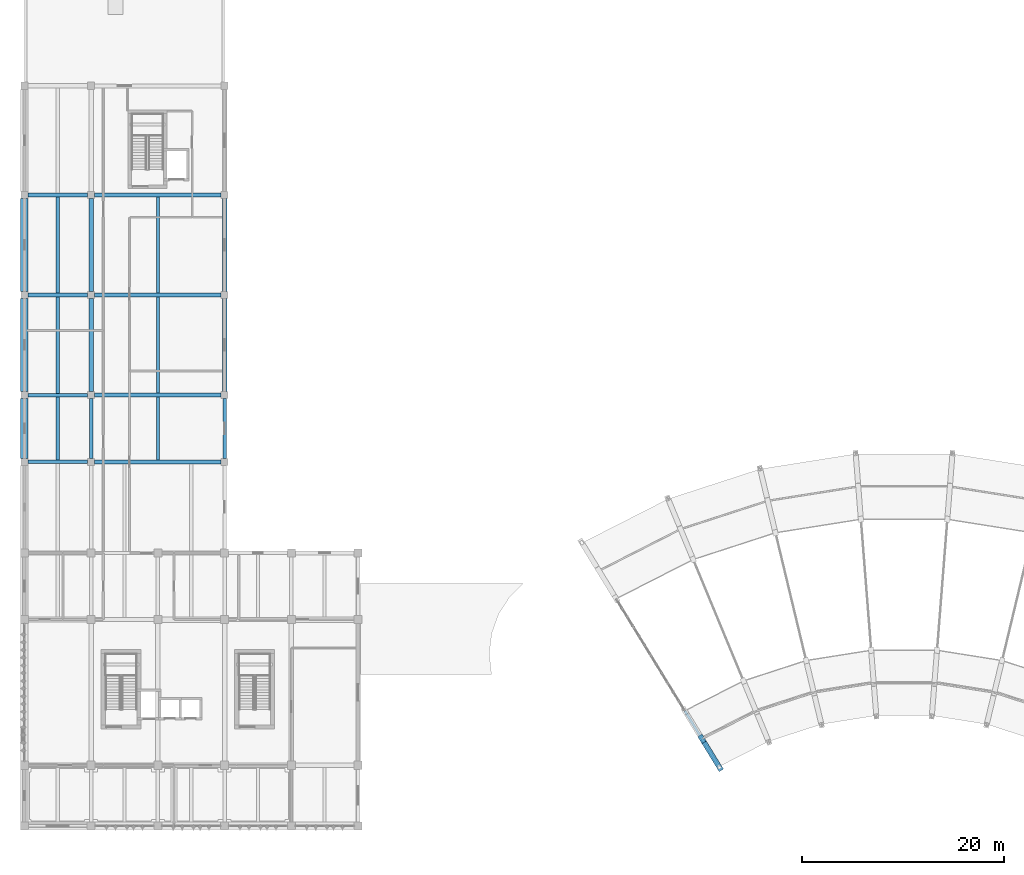
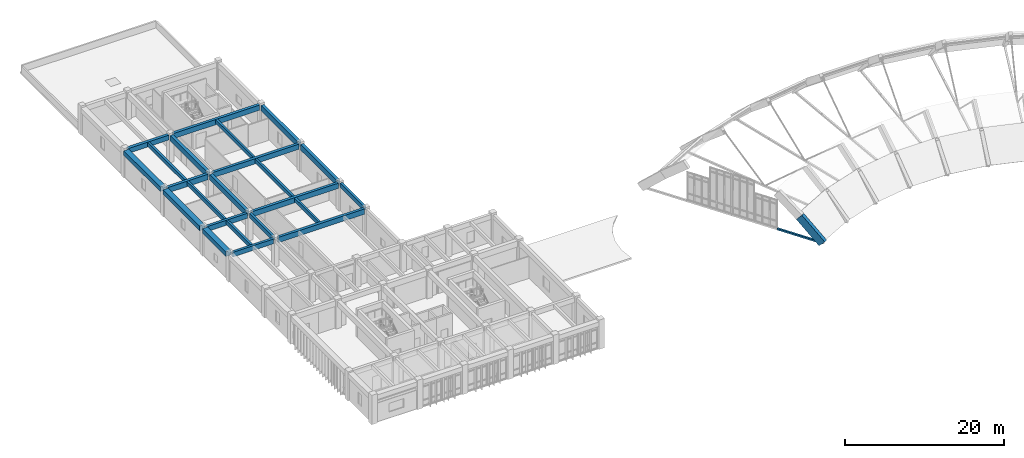
# One storey, part 9 of 34: 25 beams.
"""IFC4 building model written with IfcOpenShell, lengths in metres."""

import ifcopenshell
import ifcopenshell.guid

model = None  # the IFC model being written
_history = None  # IfcOwnerHistory: only IFC2X3 demands one
_inside = {}  # id of a spatial element -> (the spatial element, [elements in it])
_under = {}  # id of a project, library or spatial element -> (it, [spatial elements below it])
_declared = {}  # id of a project -> (the project, [libraries it declares])
_typed = {}  # id of a type object -> (the type object, [elements of that type])
_made_of = {}  # id of a material, layer set ... -> (it, [elements and type objects made of it])


def new_model(schema):
    """Start an empty IFC model of exactly this schema.

    Asked for "IFC4X3", IfcOpenShell would pick the latest addendum, in which some entities
    have other attributes; the version numbers below select the first issue.
    IFC2X3 requires an IfcOwnerHistory on every rooted entity: one is made here for all.
    """
    global model, _history
    if schema == "IFC4X3":
        model = ifcopenshell.file(schema_version=(4, 3, 0, 0))
    else:
        model = ifcopenshell.file(schema=schema)
    _inside.clear()
    _under.clear()
    _declared.clear()
    _typed.clear()
    _made_of.clear()
    _history = None
    if model.schema == "IFC2X3":
        org = make("IfcOrganization", Name="unknown")
        user = make(
            "IfcPersonAndOrganization",
            ThePerson=make("IfcPerson", FamilyName="unknown"),
            TheOrganization=org,
        )
        app = make(
            "IfcApplication",
            ApplicationDeveloper=org,
            Version="unknown",
            ApplicationFullName="unknown",
            ApplicationIdentifier="unknown",
        )
        _history = make(
            "IfcOwnerHistory",
            OwningUser=user,
            OwningApplication=app,
            ChangeAction="ADDED",
            CreationDate=0,
        )
    return model


def make(cls, **values):
    """One entity of the class cls with the attributes given. An attribute that is None is left unset."""
    return model.create_entity(
        cls, **{name: value for name, value in values.items() if value is not None}
    )


def rooted(cls, **values):
    """An entity with a GlobalId (a new one), such as an element, a storey or a relation."""
    return make(cls, GlobalId=ifcopenshell.guid.new(), OwnerHistory=_history, **values)


def si_unit(unit_type, name, prefix=None):
    """IfcSIUnit, for example si_unit("LENGTHUNIT", "METRE", prefix="MILLI")."""
    return make("IfcSIUnit", UnitType=unit_type, Prefix=prefix, Name=name)


def assignment(units):
    """IfcUnitAssignment: the units of a project."""
    return None if units is None else make("IfcUnitAssignment", Units=units)


def point(xyz):
    """IfcCartesianPoint."""
    return None if xyz is None else make("IfcCartesianPoint", Coordinates=xyz)


def direction(xyz):
    """IfcDirection."""
    return None if xyz is None else make("IfcDirection", DirectionRatios=xyz)


def frame(location, z_axis=None, x_axis=None):
    """IfcAxis2Placement3D, a coordinate frame: its origin and axes. An axis left out is left unset."""
    return make(
        "IfcAxis2Placement3D",
        Location=point(location),
        Axis=direction(z_axis),
        RefDirection=direction(x_axis),
    )


def frame_2d(location, x_axis=None):
    """IfcAxis2Placement2D, a coordinate frame in the plane: its origin and x axis."""
    return make(
        "IfcAxis2Placement2D", Location=point(location), RefDirection=direction(x_axis)
    )


def origin():
    """The frame at (0, 0, 0) with its axes left unset."""
    return frame((0.0, 0.0, 0.0))


def origin_2d():
    """The frame at (0, 0) in the plane with its x axis left unset."""
    return frame_2d((0.0, 0.0))


def place(relative_to, where):
    """IfcLocalPlacement: puts the frame where relative to a parent placement (None: the world)."""
    return make(
        "IfcLocalPlacement", PlacementRelTo=relative_to, RelativePlacement=where
    )


def context(
    kind, dimensions, precision=None, world=None, true_north=None, identifier=None
):
    """IfcGeometricRepresentationContext, for example the 3D "Model" context."""
    return make(
        "IfcGeometricRepresentationContext",
        ContextIdentifier=identifier,
        ContextType=kind,
        CoordinateSpaceDimension=dimensions,
        Precision=precision,
        WorldCoordinateSystem=world,
        TrueNorth=true_north,
    )


def subcontext(parent, identifier, kind, view, scale=None):
    """IfcGeometricRepresentationSubContext, for example "Body" below "Model"."""
    return make(
        "IfcGeometricRepresentationSubContext",
        ContextIdentifier=identifier,
        ContextType=kind,
        ParentContext=parent,
        TargetScale=scale,
        TargetView=view,
    )


def project(units=None, contexts=None):
    """IfcProject with its units and contexts."""
    return rooted(
        "IfcProject",
        Name="project",
        RepresentationContexts=contexts,
        UnitsInContext=assignment(units),
    )


def spatial(cls, under=None, at=None, **own):
    """A site, building, storey or space (cls), placed at a placement, below another one or the project."""
    s = rooted(cls, ObjectPlacement=at, **own)
    if under is not None:
        _under.setdefault(under.id(), (under, []))[1].append(s)
    return s


def profile(cls, at=None, kind="AREA", **sizes):
    """A parametric profile (cls). Its sizes go by their IFC names, for example OverallWidth=200.0."""
    return make(cls, ProfileType=kind, Position=at, **sizes)


def rectangle(**sizes):
    """IfcRectangleProfileDef."""
    return profile("IfcRectangleProfileDef", **sizes)


def hollow_rectangle(**sizes):
    """IfcRectangleHollowProfileDef."""
    return profile("IfcRectangleHollowProfileDef", **sizes)


def extrude(swept, where, along, depth):
    """IfcExtrudedAreaSolid: the profile swept, set in the frame where, extruded along a direction by depth."""
    return make(
        "IfcExtrudedAreaSolid",
        SweptArea=swept,
        Position=where,
        ExtrudedDirection=direction(along),
        Depth=depth,
    )


def shape(context_of_items, identifier, shape_type, items):
    """IfcShapeRepresentation: the items that make up one representation, for example the "Body"."""
    return make(
        "IfcShapeRepresentation",
        ContextOfItems=context_of_items,
        RepresentationIdentifier=identifier,
        RepresentationType=shape_type,
        Items=items,
    )


def material(Name=None, Category=None):
    """IfcMaterial."""
    return make("IfcMaterial", Name=Name, Category=Category)


def material_profile(
    of_material, cross_section, Name=None, Category=None, Priority=None
):
    """IfcMaterialProfile: a cross section and its material."""
    return make(
        "IfcMaterialProfile",
        Name=Name,
        Material=of_material,
        Profile=cross_section,
        Priority=Priority,
        Category=Category,
    )


def profile_set(profiles, Name=None, composite=None):
    """IfcMaterialProfileSet."""
    return make(
        "IfcMaterialProfileSet",
        Name=Name,
        MaterialProfiles=profiles,
        CompositeProfile=composite,
    )


def made_of(thing, what):
    """Note that an element or type object is made of a material, layer set ...; save() writes the relation."""
    if what is not None:
        _made_of.setdefault(what.id(), (what, []))[1].append(thing)
    return thing


def type_object(cls, material=None, **own):
    """A type object (cls), such as IfcWallType, which elements share."""
    return made_of(rooted(cls, **own), material)


def element(
    cls,
    number,
    at=None,
    inside=None,
    cuts=None,
    type_object=None,
    material=None,
    context=None,
    identifier="Body",
    shape_type=None,
    held_by="IfcProductDefinitionShape",
    body=None,
    shapes=None,
    **own,
):
    """One element of the class cls, such as IfcWall. Its Tag is "e" and its number.

    at: its placement. inside: the storey or other place that contains it. cuts: it is an
    opening in that element (IfcRelVoidsElement). A single representation is given by context,
    identifier, shape_type and body (its items); several are given by shapes. held_by: the class
    of the entity that holds the representations. save() writes the other relations.
    """
    e = rooted(cls, Tag="e%d" % number, ObjectPlacement=at, **own)
    if body is not None:
        shapes = [shape(context, identifier, shape_type, body)]
    if shapes is not None:
        e.Representation = make(held_by, Representations=shapes)
    if inside is not None:
        _inside.setdefault(inside.id(), (inside, []))[1].append(e)
    if cuts is not None:
        rooted(
            "IfcRelVoidsElement", RelatingBuildingElement=cuts, RelatedOpeningElement=e
        )
    if type_object is not None:
        _typed.setdefault(type_object.id(), (type_object, []))[1].append(e)
    return made_of(e, material)


def aggregate(whole, parts):
    """IfcRelAggregates: a whole, such as a stair, and the parts it consists of."""
    return rooted("IfcRelAggregates", RelatingObject=whole, RelatedObjects=parts)


def save(model, path):
    """Write the relations noted so far, then the file.

    IfcRelAggregates (storeys below a building ...), IfcRelContainedInSpatialStructure (elements
    in a storey), IfcRelDefinesByType, IfcRelAssociatesMaterial and IfcRelDeclares: one each for
    every whole, place, type object, material and project.
    """
    for whole, parts in _under.values():
        aggregate(whole, parts)
    for where, things in _inside.values():
        rooted(
            "IfcRelContainedInSpatialStructure",
            RelatedElements=things,
            RelatingStructure=where,
        )
    for kind, things in _typed.values():
        rooted("IfcRelDefinesByType", RelatedObjects=things, RelatingType=kind)
    for what, things in _made_of.values():
        rooted("IfcRelAssociatesMaterial", RelatedObjects=things, RelatingMaterial=what)
    for by, libraries in _declared.values():
        rooted("IfcRelDeclares", RelatingContext=by, RelatedDefinitions=libraries)
    model.write(path)


model = new_model("IFC4")

# Units and contexts
model_context = context("Model", 3, precision=1e-05, world=origin(), true_north=direction((0.0, 1.0)))
body_context = subcontext(model_context, "Body", "Model", "MODEL_VIEW")
ifc_project = project(units=[si_unit("LENGTHUNIT", "METRE"), si_unit("AREAUNIT", "SQUARE_METRE"), si_unit("VOLUMEUNIT", "CUBIC_METRE"), si_unit("PLANEANGLEUNIT", "RADIAN"), si_unit("MASSUNIT", "GRAM", prefix="KILO")], contexts=[model_context])

# Site, building, storey
site_placement = place(None, origin())
site = spatial("IfcSite", under=ifc_project, at=site_placement, CompositionType="ELEMENT")
building_placement = place(site_placement, origin())
building = spatial("IfcBuilding", under=site, at=building_placement, Name="Miralva Faculty of Natural Sciences", CompositionType="ELEMENT")
storey_placement = place(building_placement, frame((0.0, 0.0, 24.0)))
storey = spatial("IfcBuildingStorey", under=building, at=storey_placement, Name="L05", CompositionType="ELEMENT", Elevation=24.0)

# Beams
ifc_material_1 = material(Name="Concrete C40/50", Category="concrete")
ifc_material_profile_1 = material_profile(ifc_material_1, rectangle(XDim=0.449951171875, YDim=0.85009765625, at=origin_2d()), Name="RC 450x850")
ifc_profile_set_1 = profile_set([ifc_material_profile_1], Name="Concrete C40/50")
beam_type_1 = type_object("IfcBeamType", Name="BM-B01", PredefinedType="BEAM", material=ifc_profile_set_1)
for number, where, z_axis, x_axis, name in (
    (1, (9.60009765625, 45.949951171875, 3.77490234375), (0.0, 1.0, 0.0), (-1.0, 0.0, 0.0), "Girder NS L05-44"),
    (2, (9.60009765625, 55.85009765625, 3.77490234375), (0.0, 1.0, 0.0), (-1.0, 0.0, 0.0), "Girder NS L05-45"),
    (3, (22.800048828125, 45.949951171875, 3.77490234375), (0.0, 1.0, 0.0), (-1.0, 0.0, 0.0), "Girder NS L05-55"),
    (4, (22.800048828125, 55.85009765625, 3.77490234375), (0.0, 1.0, 0.0), (-1.0, 0.0, 0.0), "Girder NS L05-56"),
):
    element("IfcBeam", number, at=place(storey_placement, frame(where, z_axis=z_axis, x_axis=x_axis)), inside=storey, type_object=beam_type_1, Name=name, PredefinedType="BEAM", context=body_context, shape_type="SweptSolid", body=[
        extrude(rectangle(XDim=0.449951171875, YDim=0.85009765625, at=origin_2d()), origin(), (0.0, 0.0, 1.0), 9.199951171875),
    ])
ifc_material_profile_2 = material_profile(ifc_material_1, rectangle(XDim=0.39990234375, YDim=0.800048828125, at=origin_2d()), Name="RC 400x800")
ifc_profile_set_2 = profile_set([ifc_material_profile_2], Name="Concrete C40/50")
beam_type_2 = type_object("IfcBeamType", Name="BM-B02", PredefinedType="BEAM", material=ifc_profile_set_2)
for number, where, z_axis, x_axis, name in (
    (5, (9.949951171875, 39.0, 3.85009765625), (1.0, 0.0, 0.0), (0.0, 1.0, 0.0), "Girder EW L05-22"),
    (6, (9.949951171875, 45.60009765625, 3.800048828125), (1.0, 0.0, 0.0), (0.0, 1.0, 0.0), "Girder EW L05-24"),
    (7, (9.949951171875, 55.5, 3.800048828125), (1.0, 0.0, 0.0), (0.0, 1.0, 0.0), "Girder EW L05-26"),
    (8, (9.949951171875, 65.39990234375, 3.800048828125), (1.0, 0.0, 0.0), (0.0, 1.0, 0.0), "Girder EW L05-28"),
):
    element("IfcBeam", number, at=place(storey_placement, frame(where, z_axis=z_axis, x_axis=x_axis)), inside=storey, type_object=beam_type_2, Name=name, PredefinedType="BEAM", context=body_context, shape_type="SweptSolid", body=[
        extrude(rectangle(XDim=0.39990234375, YDim=0.800048828125, at=origin_2d()), origin(), (0.0, 0.0, 1.0), 12.5),
    ])
ifc_material_profile_3 = material_profile(ifc_material_1, rectangle(XDim=0.35009765625, YDim=0.64990234375, at=origin_2d()), Name="RC 350x650")
ifc_profile_set_3 = profile_set([ifc_material_profile_3], Name="Concrete C40/50")
beam_type_3 = type_object("IfcBeamType", Name="BM-B05", PredefinedType="BEAM", material=ifc_profile_set_3)
for number, where, z_axis, x_axis, name in (
    (9, (9.60009765625, 39.35009765625, 3.925048828125), (0.0, 1.0, 0.0), (-1.0, 0.0, 0.0), "Girder NS L05-43"),
    (10, (22.800048828125, 39.35009765625, 3.925048828125), (0.0, 1.0, 0.0), (-1.0, 0.0, 0.0), "Girder NS L05-54"),
):
    element("IfcBeam", number, at=place(storey_placement, frame(where, z_axis=z_axis, x_axis=x_axis)), inside=storey, type_object=beam_type_3, Name=name, PredefinedType="BEAM", context=body_context, shape_type="SweptSolid", body=[
        extrude(rectangle(XDim=0.35009765625, YDim=0.64990234375, at=origin_2d()), origin(), (0.0, 0.0, 1.0), 5.89990234375),
    ])
ifc_material_profile_4 = material_profile(ifc_material_1, rectangle(XDim=0.360107421875, YDim=0.719970703125, at=origin_2d()), Name="RC 360x720")
ifc_profile_set_4 = profile_set([ifc_material_profile_4], Name="Concrete C40/50")
beam_type_4 = type_object("IfcBeamType", Name="BM-BG05", PredefinedType="BEAM", material=ifc_profile_set_4)
beam_1_placement = place(storey_placement, frame((3.35009765625, 39.0, 3.889892578125), z_axis=(1.0, 0.0, 0.0), x_axis=(0.0, 1.0, 0.0)))
element("IfcBeam", 11, at=beam_1_placement, inside=storey, type_object=beam_type_4, Name="Girder EW L05-21", PredefinedType="BEAM", context=body_context, shape_type="SweptSolid", body=[
    extrude(rectangle(XDim=0.360107421875, YDim=0.719970703125, at=origin_2d()), origin(), (0.0, 0.0, 1.0), 5.89990234375),
])
ifc_material_profile_5 = material_profile(ifc_material_1, rectangle(XDim=0.3798828125, YDim=0.780029296875, at=origin_2d()), Name="RC 380x780")
ifc_profile_set_5 = profile_set([ifc_material_profile_5], Name="Concrete C40/50")
beam_type_5 = type_object("IfcBeamType", Name="BM-BG07", PredefinedType="BEAM", material=ifc_profile_set_5)
beam_2_placement = place(storey_placement, frame((3.35009765625, 45.60009765625, 3.81005859375), z_axis=(1.0, 0.0, 0.0), x_axis=(0.0, 1.0, 0.0)))
element("IfcBeam", 12, at=beam_2_placement, inside=storey, type_object=beam_type_5, Name="Girder EW L05-23", PredefinedType="BEAM", context=body_context, shape_type="SweptSolid", body=[
    extrude(rectangle(XDim=0.3798828125, YDim=0.780029296875, at=origin_2d()), origin(), (0.0, 0.0, 1.0), 5.89990234375),
])
ifc_material_profile_6 = material_profile(ifc_material_1, rectangle(XDim=0.39990234375, YDim=0.840087890625, at=origin_2d()), Name="RC 400x840")
ifc_profile_set_6 = profile_set([ifc_material_profile_6], Name="Concrete C40/50")
beam_type_6 = type_object("IfcBeamType", Name="BM-BG09", PredefinedType="BEAM", material=ifc_profile_set_6)
beam_3_placement = place(storey_placement, frame((3.35009765625, 55.5, 3.780029296875), z_axis=(1.0, 0.0, 0.0), x_axis=(0.0, 1.0, 0.0)))
element("IfcBeam", 13, at=beam_3_placement, inside=storey, type_object=beam_type_6, Name="Girder EW L05-25", PredefinedType="BEAM", context=body_context, shape_type="SweptSolid", body=[
    extrude(rectangle(XDim=0.39990234375, YDim=0.840087890625, at=origin_2d()), origin(), (0.0, 0.0, 1.0), 5.89990234375),
])
ifc_material_profile_7 = material_profile(ifc_material_1, rectangle(XDim=0.419921875, YDim=0.739990234375, at=origin_2d()), Name="RC 420x740")
ifc_profile_set_7 = profile_set([ifc_material_profile_7], Name="Concrete C40/50")
beam_type_7 = type_object("IfcBeamType", Name="BM-BG11", PredefinedType="BEAM", material=ifc_profile_set_7)
beam_4_placement = place(storey_placement, frame((3.35009765625, 65.39990234375, 3.830078125), z_axis=(1.0, 0.0, 0.0), x_axis=(0.0, 1.0, 0.0)))
element("IfcBeam", 14, at=beam_4_placement, inside=storey, type_object=beam_type_7, Name="Girder EW L05-27", PredefinedType="BEAM", context=body_context, shape_type="SweptSolid", body=[
    extrude(rectangle(XDim=0.419921875, YDim=0.739990234375, at=origin_2d()), origin(), (0.0, 0.0, 1.0), 5.89990234375),
])
ifc_material_profile_8 = material_profile(ifc_material_1, rectangle(XDim=0.5, YDim=1.199951171875, at=origin_2d()), Name="RC 500x1200")
ifc_profile_set_8 = profile_set([ifc_material_profile_8], Name="Concrete C40/50")
beam_type_8 = type_object("IfcBeamType", Name="BM-EB01", PredefinedType="BEAM", material=ifc_profile_set_8)
beam_5_placement = place(storey_placement, frame((71.712646484375, 8.84228515625, -0.0400390625), z_axis=(-0.385417004482, 0.628934505157, 0.675200059893), x_axis=(-0.852636876348, -0.522503930216, 0.0)))
element("IfcBeam", 15, at=beam_5_placement, inside=storey, type_object=beam_type_8, Name="Visible RC shell arch edge beam EB-01 chord 1", PredefinedType="BEAM", context=body_context, shape_type="SweptSolid", body=[
    extrude(rectangle(XDim=0.5, YDim=1.199951171875, at=origin_2d()), origin(), (0.0, 0.0, 1.0), 4.40625),
])
ifc_material_2 = material(Name="Steel S355", Category="steel")
ifc_material_profile_9 = material_profile(ifc_material_2, hollow_rectangle(XDim=0.25, YDim=0.25, WallThickness=0.011962890625, at=origin_2d()), Name="HSS 250x250x12")
ifc_profile_set_9 = profile_set([ifc_material_profile_9], Name="Steel S355")
beam_type_9 = type_object("IfcBeamType", Name="BM-EBTIE", PredefinedType="BEAM", material=ifc_profile_set_9)
beam_6_placement = place(storey_placement, frame((71.712646484375, 8.84228515625, -0.0400390625), z_axis=(-0.522493357731, 0.852643355176, 0.0), x_axis=(-0.852643355176, -0.522493357731, 0.0)))
element("IfcBeam", 16, at=beam_6_placement, inside=storey, type_object=beam_type_9, Name="Shell arch tie chord 01-1", PredefinedType="BEAM", context=body_context, shape_type="SweptSolid", body=[
    extrude(hollow_rectangle(XDim=0.25, YDim=0.25, WallThickness=0.011962890625, at=origin_2d()), origin(), (0.0, 0.0, 1.0), 6.5),
])
ifc_material_profile_10 = material_profile(ifc_material_1, rectangle(XDim=0.300048828125, YDim=0.60009765625, at=origin_2d()), Name="RC 300x600")
ifc_profile_set_10 = profile_set([ifc_material_profile_10], Name="Concrete C40/50")
beam_type_10 = type_object("IfcBeamType", Name="BM-J01", PredefinedType="JOIST", material=ifc_profile_set_10)
beam_7_placement = place(storey_placement, frame((6.300048828125, 39.179931640625, 3.89990234375), z_axis=(0.0, 1.0, 0.0), x_axis=(-1.0, 0.0, 0.0)))
element("IfcBeam", 17, at=beam_7_placement, inside=storey, type_object=beam_type_10, Name="Floor joist L05-14", PredefinedType="JOIST", context=body_context, shape_type="SweptSolid", body=[
    extrude(rectangle(XDim=0.300048828125, YDim=0.60009765625, at=origin_2d()), origin(), (0.0, 0.0, 1.0), 6.22998046875),
])
beam_8_placement = place(storey_placement, frame((16.199951171875, 39.199951171875, 3.89990234375), z_axis=(0.0, 1.0, 0.0), x_axis=(-1.0, 0.0, 0.0)))
element("IfcBeam", 18, at=beam_8_placement, inside=storey, type_object=beam_type_10, Name="Floor joist L05-15", PredefinedType="JOIST", context=body_context, shape_type="SweptSolid", body=[
    extrude(rectangle(XDim=0.300048828125, YDim=0.60009765625, at=origin_2d()), origin(), (0.0, 0.0, 1.0), 6.199951171875),
])
beam_9_placement = place(storey_placement, frame((6.300048828125, 45.7900390625, 3.89990234375), z_axis=(0.0, 1.0, 0.0), x_axis=(-1.0, 0.0, 0.0)))
element("IfcBeam", 19, at=beam_9_placement, inside=storey, type_object=beam_type_10, Name="Floor joist L05-16", PredefinedType="JOIST", context=body_context, shape_type="SweptSolid", body=[
    extrude(rectangle(XDim=0.300048828125, YDim=0.60009765625, at=origin_2d()), origin(), (0.0, 0.0, 1.0), 9.510009765625),
])
beam_10_placement = place(storey_placement, frame((16.199951171875, 45.800048828125, 3.89990234375), z_axis=(0.0, 1.0, 0.0), x_axis=(-1.0, 0.0, 0.0)))
element("IfcBeam", 20, at=beam_10_placement, inside=storey, type_object=beam_type_10, Name="Floor joist L05-17", PredefinedType="JOIST", context=body_context, shape_type="SweptSolid", body=[
    extrude(rectangle(XDim=0.300048828125, YDim=0.60009765625, at=origin_2d()), origin(), (0.0, 0.0, 1.0), 9.5),
])
beam_11_placement = place(storey_placement, frame((6.300048828125, 55.699951171875, 3.89990234375), z_axis=(0.0, 1.0, 0.0), x_axis=(-1.0, 0.0, 0.0)))
element("IfcBeam", 21, at=beam_11_placement, inside=storey, type_object=beam_type_10, Name="Floor joist L05-18", PredefinedType="JOIST", context=body_context, shape_type="SweptSolid", body=[
    extrude(rectangle(XDim=0.300048828125, YDim=0.60009765625, at=origin_2d()), origin(), (0.0, 0.0, 1.0), 9.489990234375),
])
beam_12_placement = place(storey_placement, frame((16.199951171875, 55.699951171875, 3.89990234375), z_axis=(0.0, 1.0, 0.0), x_axis=(-1.0, 0.0, 0.0)))
element("IfcBeam", 22, at=beam_12_placement, inside=storey, type_object=beam_type_10, Name="Floor joist L05-19", PredefinedType="JOIST", context=body_context, shape_type="SweptSolid", body=[
    extrude(rectangle(XDim=0.300048828125, YDim=0.60009765625, at=origin_2d()), origin(), (0.0, 0.0, 1.0), 9.5),
])
ifc_material_profile_11 = material_profile(ifc_material_1, rectangle(XDim=0.75, YDim=0.699951171875, at=origin_2d()), Name="RC 750x700")
ifc_profile_set_11 = profile_set([ifc_material_profile_11], Name="Concrete C40/50")
beam_type_11 = type_object("IfcBeamType", Name="BM-SP01", PredefinedType="SPANDREL", material=ifc_profile_set_11)
beam_13_placement = place(storey_placement, frame((3.0, 39.35009765625, 3.89990234375), z_axis=(0.0, 1.0, 0.0), x_axis=(-1.0, 0.0, 0.0)))
element("IfcBeam", 23, at=beam_13_placement, inside=storey, type_object=beam_type_11, Name="Girder NS L05-35", PredefinedType="SPANDREL", context=body_context, shape_type="SweptSolid", body=[
    extrude(rectangle(XDim=0.75, YDim=0.699951171875, at=origin_2d()), origin(), (0.0, 0.0, 1.0), 5.89990234375),
])
for number, where, z_axis, x_axis, name in (
    (24, (3.0, 45.949951171875, 3.85009765625), (0.0, 1.0, 0.0), (-1.0, 0.0, 0.0), "Girder NS L05-36"),
    (25, (3.0, 55.85009765625, 3.85009765625), (0.0, 1.0, 0.0), (-1.0, 0.0, 0.0), "Girder NS L05-37"),
):
    element("IfcBeam", number, at=place(storey_placement, frame(where, z_axis=z_axis, x_axis=x_axis)), inside=storey, type_object=beam_type_11, Name=name, PredefinedType="SPANDREL", context=body_context, shape_type="SweptSolid", body=[
        extrude(rectangle(XDim=0.75, YDim=0.699951171875, at=origin_2d()), origin(), (0.0, 0.0, 1.0), 9.199951171875),
    ])

save(model, "model.ifc")
